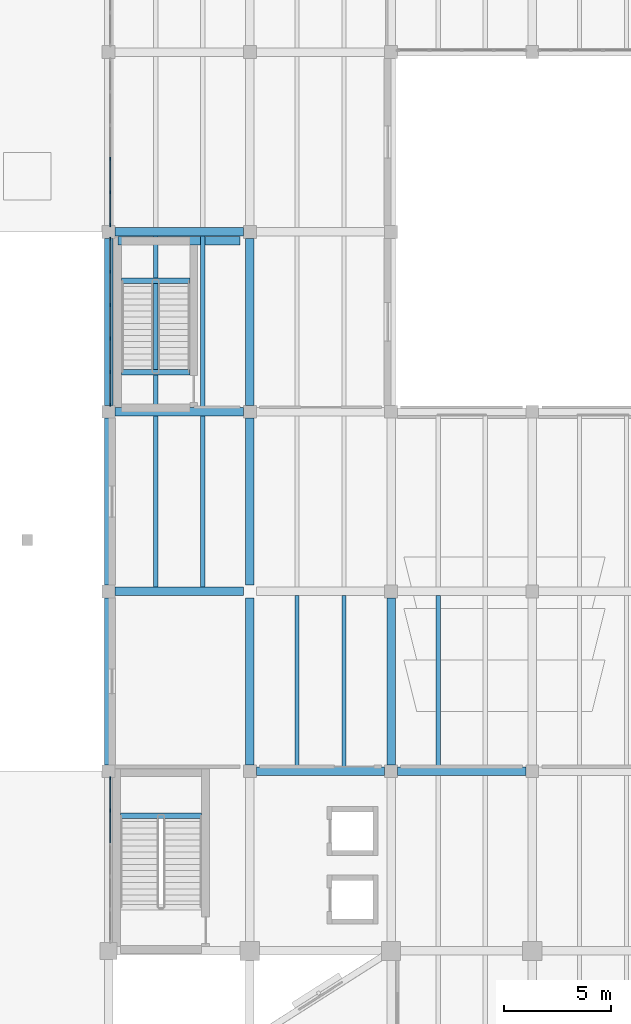
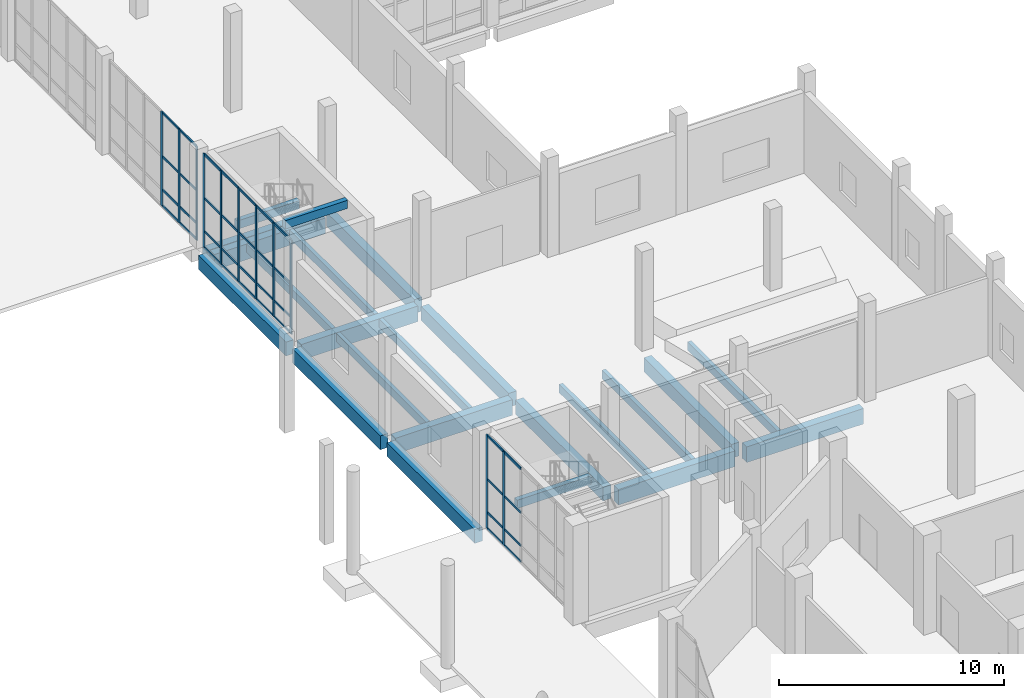
# One storey, part 21 of 64: 47 members, 23 beams, 3 elements without a shape of their own.
"""IFC4 building model written with IfcOpenShell, lengths in metres."""

from ifc_helpers import new_model, si_unit, direction, frame, origin, origin_2d, place, context, subcontext, project, spatial, rectangle, extrude, material, material_profile, profile_set, type_object, element, aggregate, save


model = new_model("IFC4")

# Units and contexts
model_context = context("Model", 3, precision=1e-05, world=origin(), true_north=direction((0.0, 1.0)))
body_context = subcontext(model_context, "Body", "Model", "MODEL_VIEW")
ifc_project = project(units=[si_unit("LENGTHUNIT", "METRE"), si_unit("AREAUNIT", "SQUARE_METRE"), si_unit("VOLUMEUNIT", "CUBIC_METRE"), si_unit("PLANEANGLEUNIT", "RADIAN"), si_unit("MASSUNIT", "GRAM", prefix="KILO")], contexts=[model_context])

# Site, building, storey
site_placement = place(None, origin())
site = spatial("IfcSite", under=ifc_project, at=site_placement, CompositionType="ELEMENT")
building_placement = place(site_placement, origin())
building = spatial("IfcBuilding", under=site, at=building_placement, Name="Qaldarim Faculty of Natural and Applied Sciences", CompositionType="ELEMENT")
storey_placement = place(building_placement, origin())
storey = spatial("IfcBuildingStorey", under=building, at=storey_placement, Name="L00", CompositionType="ELEMENT", Elevation=0.0)

# Beams
ifc_material_1 = material(Name="Concrete C50/60", Category="concrete")
ifc_material_profile_1 = material_profile(ifc_material_1, rectangle(XDim=0.39990234375, YDim=0.75, at=origin_2d()), Name="RC-B400x750")
ifc_profile_set_1 = profile_set([ifc_material_profile_1], Name="Concrete C50/60")
beam_type_1 = type_object("IfcBeamType", Name="LabGirder-RC400x750", PredefinedType="BEAM", material=ifc_profile_set_1)
for number, where, z_axis, x_axis, name in (
    (1, (151.800048828125, 67.5, -0.735107421875), (0.0, 1.0, 0.0), (-1.0, 0.0, 0.0), "Beam RC-B400x750 B01 X24/Y09-Y10"),
    (2, (151.800048828125, 75.89990234375, -0.735107421875), (0.0, 1.0, 0.0), (-1.0, 0.0, 0.0), "Beam RC-B400x750 B01 X24/Y10-Y11"),
    (3, (151.800048828125, 84.300048828125, -0.735107421875), (0.0, 1.0, 0.0), (-1.0, 0.0, 0.0), "Beam RC-B400x750 B01 X24/Y11-Y12"),
    (4, (158.39990234375, 67.5, -0.735107421875), (0.0, 1.0, 0.0), (-1.0, 0.0, 0.0), "Beam RC-B400x750 B01 X25/Y09-Y10"),
    (5, (158.39990234375, 75.89990234375, -0.735107421875), (0.0, 1.0, 0.0), (-1.0, 0.0, 0.0), "Beam RC-B400x750 B01 X25/Y10-Y11"),
    (6, (158.39990234375, 84.300048828125, -0.735107421875), (0.0, 1.0, 0.0), (-1.0, 0.0, 0.0), "Beam RC-B400x750 B01 X25/Y11-Y12"),
    (7, (165.0, 67.5, -0.735107421875), (0.0, 1.0, 0.0), (-1.0, 0.0, 0.0), "Beam RC-B400x750 B01 X26/Y09-Y10"),
):
    element("IfcBeam", number, at=place(storey_placement, frame(where, z_axis=z_axis, x_axis=x_axis)), inside=storey, type_object=beam_type_1, Name=name, PredefinedType="BEAM", context=body_context, shape_type="SweptSolid", body=[
        extrude(rectangle(XDim=0.39990234375, YDim=0.75, at=origin_2d()), origin(), (0.0, 0.0, 1.0), 7.800048828125),
    ])
ifc_material_2 = material(Name="Concrete C40/50", Category="concrete")
ifc_material_profile_2 = material_profile(ifc_material_2, rectangle(XDim=0.199951171875, YDim=0.449951171875, at=origin_2d()), Name="RC-J200x450")
ifc_profile_set_2 = profile_set([ifc_material_profile_2], Name="Concrete C40/50")
beam_type_2 = type_object("IfcBeamType", Name="LabJoist-RC200x450", PredefinedType="JOIST", material=ifc_profile_set_2)
for number, where, z_axis, x_axis, name in (
    (8, (154.0, 75.800048828125, -0.5849609375), (0.0, 1.0, 0.0), (-1.0, 0.0, 0.0), "Laboratory joist B01 bay X24Y10-1"),
    (9, (156.199951171875, 75.800048828125, -0.5849609375), (0.0, 1.0, 0.0), (-1.0, 0.0, 0.0), "Laboratory joist B01 bay X24Y10-2"),
    (10, (154.0, 84.199951171875, -0.5849609375), (0.0, 1.0, 0.0), (-1.0, 0.0, 0.0), "Laboratory joist B01 bay X24Y11-1"),
    (11, (156.199951171875, 84.199951171875, -0.5849609375), (0.0, 1.0, 0.0), (-1.0, 0.0, 0.0), "Laboratory joist B01 bay X24Y11-2"),
    (12, (160.60009765625, 67.39990234375, -0.5849609375), (0.0, 1.0, 0.0), (-1.0, 0.0, 0.0), "Laboratory joist B01 bay X25Y09-1"),
    (13, (162.800048828125, 67.39990234375, -0.5849609375), (0.0, 1.0, 0.0), (-1.0, 0.0, 0.0), "Laboratory joist B01 bay X25Y09-2"),
    (14, (167.199951171875, 67.39990234375, -0.5849609375), (0.0, 1.0, 0.0), (-1.0, 0.0, 0.0), "Laboratory joist B01 bay X26Y09-1"),
):
    element("IfcBeam", number, at=place(storey_placement, frame(where, z_axis=z_axis, x_axis=x_axis)), inside=storey, type_object=beam_type_2, Name=name, PredefinedType="JOIST", context=body_context, shape_type="SweptSolid", body=[
        extrude(rectangle(XDim=0.199951171875, YDim=0.449951171875, at=origin_2d()), origin(), (0.0, 0.0, 1.0), 8.0),
    ])
ifc_material_profile_3 = material_profile(ifc_material_2, rectangle(XDim=0.25, YDim=0.449951171875, at=origin_2d()), Name="RC-LN250x450")
ifc_profile_set_3 = profile_set([ifc_material_profile_3], Name="Concrete C40/50")
beam_type_3 = type_object("IfcBeamType", Name="LandingSupportBeam-RC250x450", PredefinedType="BEAM", material=ifc_profile_set_3)
beam_1_placement = place(storey_placement, frame((152.35009765625, 65.125, 2.264892578125), z_axis=(1.0, 0.0, 0.0), x_axis=(0.0, 1.0, 0.0)))
element("IfcBeam", 15, at=beam_1_placement, inside=storey, type_object=beam_type_3, Name="Stair landing support beam ST-C1 L00", PredefinedType="BEAM", context=body_context, shape_type="SweptSolid", body=[
    extrude(rectangle(XDim=0.25, YDim=0.449951171875, at=origin_2d()), origin(), (0.0, 0.0, 1.0), 3.7998046875),
])
for number, where, z_axis, x_axis, name in (
    (16, (152.39990234375, 90.125, 2.264892578125), (1.0, 0.0, 0.0), (0.0, 1.0, 0.0), "Stair landing support beam ST-C2 L00"),
    (17, (152.39990234375, 85.85009765625, 4.875), (1.0, 0.0, 0.0), (0.0, 1.0, 0.0), "Stair arrival support beam ST-C2 L00"),
):
    element("IfcBeam", number, at=place(storey_placement, frame(where, z_axis=z_axis, x_axis=x_axis)), inside=storey, type_object=beam_type_3, Name=name, PredefinedType="BEAM", context=body_context, shape_type="SweptSolid", body=[
        extrude(rectangle(XDim=0.25, YDim=0.449951171875, at=origin_2d()), origin(), (0.0, 0.0, 1.0), 3.2001953125),
    ])

# Curtain wall, members
ifc_material_3 = material(Name="Anodised aluminium AW-6063", Category="aluminium")
curtain_wall_type = type_object("IfcCurtainWallType", Name="CurtainWallSystem-M1600", PredefinedType="USERDEFINED", material=ifc_material_3)
curtain_wall_1_placement = place(storey_placement, origin())
curtain_wall_1 = element("IfcCurtainWall", 18, at=curtain_wall_1_placement, inside=storey, type_object=curtain_wall_type, Name="Curtain wall CW-L00-W-X24Y08", ObjectType="UNITISED FACADE", PredefinedType="USERDEFINED")
ifc_material_profile_4 = material_profile(ifc_material_3, rectangle(XDim=0.06005859375, YDim=0.14990234375, at=origin_2d()), Name="ALU-M60x150")
ifc_profile_set_4 = profile_set([ifc_material_profile_4], Name="Anodised aluminium AW-6063")
member_type_1 = type_object("IfcMemberType", Name="Mullion-ALU60x150", PredefinedType="MULLION", material=ifc_profile_set_4)
member_1_placement = place(storey_placement, frame((151.8798828125, 66.875, 0.0), z_axis=(0.0, 0.0, 1.0), x_axis=(1.0, 0.0, 0.0)))
member_1 = element("IfcMember", 19, at=member_1_placement, type_object=member_type_1, Name="Mullion 1 of CW-L00-W-X24Y08", PredefinedType="MULLION", context=body_context, shape_type="SweptSolid", body=[
    extrude(rectangle(XDim=0.06005859375, YDim=0.14990234375, at=origin_2d()), origin(), (0.0, 0.0, 1.0), 5.10009765625),
])
member_2_placement = place(storey_placement, frame((151.8798828125, 65.363037109375, 0.0), z_axis=(0.0, 0.0, 1.0), x_axis=(1.0, 0.0, 0.0)))
member_2 = element("IfcMember", 20, at=member_2_placement, type_object=member_type_1, Name="Mullion 2 of CW-L00-W-X24Y08", PredefinedType="MULLION", context=body_context, shape_type="SweptSolid", body=[
    extrude(rectangle(XDim=0.06005859375, YDim=0.14990234375, at=origin_2d()), origin(), (0.0, 0.0, 1.0), 5.10009765625),
])

curtain_wall_2_placement = place(storey_placement, origin())
curtain_wall_2 = element("IfcCurtainWall", 21, at=curtain_wall_2_placement, inside=storey, type_object=curtain_wall_type, Name="Curtain wall CW-L00-W-X24Y11", ObjectType="UNITISED FACADE", PredefinedType="USERDEFINED")
member_3_placement = place(storey_placement, frame((151.8798828125, 92.074951171875, 0.0), z_axis=(0.0, 0.0, 1.0), x_axis=(1.0, 0.0, 0.0)))
member_3 = element("IfcMember", 22, at=member_3_placement, type_object=member_type_1, Name="Mullion 1 of CW-L00-W-X24Y11", PredefinedType="MULLION", context=body_context, shape_type="SweptSolid", body=[
    extrude(rectangle(XDim=0.06005859375, YDim=0.14990234375, at=origin_2d()), origin(), (0.0, 0.0, 1.0), 5.10009765625),
])
member_4_placement = place(storey_placement, frame((151.8798828125, 90.54296875, 0.0), z_axis=(0.0, 0.0, 1.0), x_axis=(1.0, 0.0, 0.0)))
member_4 = element("IfcMember", 23, at=member_4_placement, type_object=member_type_1, Name="Mullion 2 of CW-L00-W-X24Y11", PredefinedType="MULLION", context=body_context, shape_type="SweptSolid", body=[
    extrude(rectangle(XDim=0.06005859375, YDim=0.14990234375, at=origin_2d()), origin(), (0.0, 0.0, 1.0), 5.10009765625),
])
member_5_placement = place(storey_placement, frame((151.8798828125, 88.98095703125, 0.0), z_axis=(0.0, 0.0, 1.0), x_axis=(1.0, 0.0, 0.0)))
member_5 = element("IfcMember", 24, at=member_5_placement, type_object=member_type_1, Name="Mullion 3 of CW-L00-W-X24Y11", PredefinedType="MULLION", context=body_context, shape_type="SweptSolid", body=[
    extrude(rectangle(XDim=0.06005859375, YDim=0.14990234375, at=origin_2d()), origin(), (0.0, 0.0, 1.0), 5.10009765625),
])
member_6_placement = place(storey_placement, frame((151.8798828125, 87.4189453125, 0.0), z_axis=(0.0, 0.0, 1.0), x_axis=(1.0, 0.0, 0.0)))
member_6 = element("IfcMember", 25, at=member_6_placement, type_object=member_type_1, Name="Mullion 4 of CW-L00-W-X24Y11", PredefinedType="MULLION", context=body_context, shape_type="SweptSolid", body=[
    extrude(rectangle(XDim=0.06005859375, YDim=0.14990234375, at=origin_2d()), origin(), (0.0, 0.0, 1.0), 5.10009765625),
])
member_7_placement = place(storey_placement, frame((151.8798828125, 85.85693359375, 0.0), z_axis=(0.0, 0.0, 1.0), x_axis=(1.0, 0.0, 0.0)))
member_7 = element("IfcMember", 26, at=member_7_placement, type_object=member_type_1, Name="Mullion 5 of CW-L00-W-X24Y11", PredefinedType="MULLION", context=body_context, shape_type="SweptSolid", body=[
    extrude(rectangle(XDim=0.06005859375, YDim=0.14990234375, at=origin_2d()), origin(), (0.0, 0.0, 1.0), 5.10009765625),
])
member_8_placement = place(storey_placement, frame((151.8798828125, 84.324951171875, 0.0), z_axis=(0.0, 0.0, 1.0), x_axis=(1.0, 0.0, 0.0)))
member_8 = element("IfcMember", 27, at=member_8_placement, type_object=member_type_1, Name="Mullion 6 of CW-L00-W-X24Y11", PredefinedType="MULLION", context=body_context, shape_type="SweptSolid", body=[
    extrude(rectangle(XDim=0.06005859375, YDim=0.14990234375, at=origin_2d()), origin(), (0.0, 0.0, 1.0), 5.10009765625),
])

curtain_wall_3_placement = place(storey_placement, origin())
curtain_wall_3 = element("IfcCurtainWall", 28, at=curtain_wall_3_placement, inside=storey, type_object=curtain_wall_type, Name="Curtain wall CW-L00-W-X24Y12", ObjectType="UNITISED FACADE", PredefinedType="USERDEFINED")
member_9_placement = place(storey_placement, frame((151.8798828125, 95.819091796875, 0.0), z_axis=(0.0, 0.0, 1.0), x_axis=(1.0, 0.0, 0.0)))
member_9 = element("IfcMember", 29, at=member_9_placement, type_object=member_type_1, Name="Mullion 4 of CW-L00-W-X24Y12", PredefinedType="MULLION", context=body_context, shape_type="SweptSolid", body=[
    extrude(rectangle(XDim=0.06005859375, YDim=0.14990234375, at=origin_2d()), origin(), (0.0, 0.0, 1.0), 5.10009765625),
])
member_10_placement = place(storey_placement, frame((151.8798828125, 94.257080078125, 0.0), z_axis=(0.0, 0.0, 1.0), x_axis=(1.0, 0.0, 0.0)))
member_10 = element("IfcMember", 30, at=member_10_placement, type_object=member_type_1, Name="Mullion 5 of CW-L00-W-X24Y12", PredefinedType="MULLION", context=body_context, shape_type="SweptSolid", body=[
    extrude(rectangle(XDim=0.06005859375, YDim=0.14990234375, at=origin_2d()), origin(), (0.0, 0.0, 1.0), 5.10009765625),
])
member_11_placement = place(storey_placement, frame((151.8798828125, 92.72509765625, 0.0), z_axis=(0.0, 0.0, 1.0), x_axis=(1.0, 0.0, 0.0)))
member_11 = element("IfcMember", 31, at=member_11_placement, type_object=member_type_1, Name="Mullion 6 of CW-L00-W-X24Y12", PredefinedType="MULLION", context=body_context, shape_type="SweptSolid", body=[
    extrude(rectangle(XDim=0.06005859375, YDim=0.14990234375, at=origin_2d()), origin(), (0.0, 0.0, 1.0), 5.10009765625),
])

# Beams
ifc_material_profile_5 = material_profile(ifc_material_1, rectangle(XDim=0.39990234375, YDim=0.85009765625, at=origin_2d()), Name="RC-B400x850")
ifc_profile_set_5 = profile_set([ifc_material_profile_5], Name="Concrete C50/60")
beam_type_4 = type_object("IfcBeamType", Name="PodiumGirder-RC400x850", PredefinedType="BEAM", material=ifc_profile_set_5)
for number, where, z_axis, x_axis, name in (
    (32, (158.699951171875, 67.199951171875, -0.784912109375), (1.0, 0.0, 0.0), (0.0, 1.0, 0.0), "Beam RC-B400x850 B01 X25-X26/Y09"),
    (33, (165.300048828125, 67.199951171875, -0.784912109375), (1.0, 0.0, 0.0), (0.0, 1.0, 0.0), "Beam RC-B400x850 B01 X26-X27/Y09"),
    (34, (152.10009765625, 75.60009765625, -0.784912109375), (1.0, 0.0, 0.0), (0.0, 1.0, 0.0), "Beam RC-B400x850 B01 X24-X25/Y10"),
    (35, (152.10009765625, 84.0, -0.784912109375), (1.0, 0.0, 0.0), (0.0, 1.0, 0.0), "Beam RC-B400x850 B01 X24-X25/Y11"),
    (36, (152.10009765625, 92.39990234375, -0.784912109375), (1.0, 0.0, 0.0), (0.0, 1.0, 0.0), "Beam RC-B400x850 B01 X24-X25/Y12"),
):
    element("IfcBeam", number, at=place(storey_placement, frame(where, z_axis=z_axis, x_axis=x_axis)), inside=storey, type_object=beam_type_4, Name=name, PredefinedType="BEAM", context=body_context, shape_type="SweptSolid", body=[
        extrude(rectangle(XDim=0.39990234375, YDim=0.85009765625, at=origin_2d()), origin(), (0.0, 0.0, 1.0), 6.0),
    ])
beam_2_placement = place(storey_placement, frame((152.25, 91.97998046875, -0.784912109375), z_axis=(1.0, 0.0, 0.0), x_axis=(0.0, 1.0, 0.0)))
element("IfcBeam", 37, at=beam_2_placement, inside=storey, type_object=beam_type_4, Name="Stair shaft foundation transfer beam STC2-N", PredefinedType="BEAM", context=body_context, shape_type="SweptSolid", body=[
    extrude(rectangle(XDim=0.39990234375, YDim=0.85009765625, at=origin_2d()), origin(), (0.0, 0.0, 1.0), 5.699951171875),
])

# Member
ifc_material_profile_6 = material_profile(ifc_material_3, rectangle(XDim=0.06005859375, YDim=0.1201171875, at=origin_2d()), Name="ALU-T60x120")
ifc_profile_set_6 = profile_set([ifc_material_profile_6], Name="Anodised aluminium AW-6063")
member_type_2 = type_object("IfcMemberType", Name="Transom-ALU60x120", PredefinedType="USERDEFINED", material=ifc_profile_set_6)
member_12_placement = place(storey_placement, frame((151.8798828125, 66.844970703125, 0.030029296875), z_axis=(0.0, -1.0, 0.0), x_axis=(1.0, 0.0, 0.0)))
member_12 = element("IfcMember", 38, at=member_12_placement, type_object=member_type_2, Name="Transom 1-1 of CW-L00-W-X24Y08", ObjectType="TRANSOM", PredefinedType="USERDEFINED", context=body_context, shape_type="SweptSolid", body=[
    extrude(rectangle(XDim=0.06005859375, YDim=0.1201171875, at=origin_2d()), origin(), (0.0, 0.0, 1.0), 1.451904296875),
])

member_13_placement = place(storey_placement, frame((151.8798828125, 66.844970703125, 0.89990234375), z_axis=(0.0, -1.0, 0.0), x_axis=(1.0, 0.0, 0.0)))
member_13 = element("IfcMember", 39, at=member_13_placement, type_object=member_type_2, Name="Transom 1-2 of CW-L00-W-X24Y08", ObjectType="TRANSOM", PredefinedType="USERDEFINED", context=body_context, shape_type="SweptSolid", body=[
    extrude(rectangle(XDim=0.06005859375, YDim=0.1201171875, at=origin_2d()), origin(), (0.0, 0.0, 1.0), 1.451904296875),
])

member_14_placement = place(storey_placement, frame((151.8798828125, 66.844970703125, 2.699951171875), z_axis=(0.0, -1.0, 0.0), x_axis=(1.0, 0.0, 0.0)))
member_14 = element("IfcMember", 40, at=member_14_placement, type_object=member_type_2, Name="Transom 1-3 of CW-L00-W-X24Y08", ObjectType="TRANSOM", PredefinedType="USERDEFINED", context=body_context, shape_type="SweptSolid", body=[
    extrude(rectangle(XDim=0.06005859375, YDim=0.1201171875, at=origin_2d()), origin(), (0.0, 0.0, 1.0), 1.451904296875),
])

member_15_placement = place(storey_placement, frame((151.8798828125, 66.844970703125, 5.070068359375), z_axis=(0.0, -1.0, 0.0), x_axis=(1.0, 0.0, 0.0)))
member_15 = element("IfcMember", 41, at=member_15_placement, type_object=member_type_2, Name="Transom 1-4 of CW-L00-W-X24Y08", ObjectType="TRANSOM", PredefinedType="USERDEFINED", context=body_context, shape_type="SweptSolid", body=[
    extrude(rectangle(XDim=0.06005859375, YDim=0.1201171875, at=origin_2d()), origin(), (0.0, 0.0, 1.0), 1.451904296875),
])

member_16_placement = place(storey_placement, frame((151.8798828125, 65.3330078125, 0.030029296875), z_axis=(0.0, -1.0, 0.0), x_axis=(1.0, 0.0, 0.0)))
member_16 = element("IfcMember", 42, at=member_16_placement, type_object=member_type_2, Name="Transom 2-1 of CW-L00-W-X24Y08", ObjectType="TRANSOM", PredefinedType="USERDEFINED", context=body_context, shape_type="SweptSolid", body=[
    extrude(rectangle(XDim=0.06005859375, YDim=0.1201171875, at=origin_2d()), origin(), (0.0, 0.0, 1.0), 1.48193359375),
])

member_17_placement = place(storey_placement, frame((151.8798828125, 65.3330078125, 0.89990234375), z_axis=(0.0, -1.0, 0.0), x_axis=(1.0, 0.0, 0.0)))
member_17 = element("IfcMember", 43, at=member_17_placement, type_object=member_type_2, Name="Transom 2-2 of CW-L00-W-X24Y08", ObjectType="TRANSOM", PredefinedType="USERDEFINED", context=body_context, shape_type="SweptSolid", body=[
    extrude(rectangle(XDim=0.06005859375, YDim=0.1201171875, at=origin_2d()), origin(), (0.0, 0.0, 1.0), 1.48193359375),
])

member_18_placement = place(storey_placement, frame((151.8798828125, 65.3330078125, 2.699951171875), z_axis=(0.0, -1.0, 0.0), x_axis=(1.0, 0.0, 0.0)))
member_18 = element("IfcMember", 44, at=member_18_placement, type_object=member_type_2, Name="Transom 2-3 of CW-L00-W-X24Y08", ObjectType="TRANSOM", PredefinedType="USERDEFINED", context=body_context, shape_type="SweptSolid", body=[
    extrude(rectangle(XDim=0.06005859375, YDim=0.1201171875, at=origin_2d()), origin(), (0.0, 0.0, 1.0), 1.48193359375),
])

member_19_placement = place(storey_placement, frame((151.8798828125, 65.3330078125, 5.070068359375), z_axis=(0.0, -1.0, 0.0), x_axis=(1.0, 0.0, 0.0)))
member_19 = element("IfcMember", 45, at=member_19_placement, type_object=member_type_2, Name="Transom 2-4 of CW-L00-W-X24Y08", ObjectType="TRANSOM", PredefinedType="USERDEFINED", context=body_context, shape_type="SweptSolid", body=[
    extrude(rectangle(XDim=0.06005859375, YDim=0.1201171875, at=origin_2d()), origin(), (0.0, 0.0, 1.0), 1.48193359375),
])

aggregate(curtain_wall_1, [member_1, member_2, member_12, member_13, member_14, member_15, member_16, member_17, member_18, member_19])

member_20_placement = place(storey_placement, frame((151.8798828125, 92.044921875, 0.030029296875), z_axis=(0.0, -1.0, 0.0), x_axis=(1.0, 0.0, 0.0)))
member_20 = element("IfcMember", 46, at=member_20_placement, type_object=member_type_2, Name="Transom 1-1 of CW-L00-W-X24Y11", ObjectType="TRANSOM", PredefinedType="USERDEFINED", context=body_context, shape_type="SweptSolid", body=[
    extrude(rectangle(XDim=0.06005859375, YDim=0.1201171875, at=origin_2d()), origin(), (0.0, 0.0, 1.0), 1.471923828125),
])

member_21_placement = place(storey_placement, frame((151.8798828125, 92.044921875, 0.89990234375), z_axis=(0.0, -1.0, 0.0), x_axis=(1.0, 0.0, 0.0)))
member_21 = element("IfcMember", 47, at=member_21_placement, type_object=member_type_2, Name="Transom 1-2 of CW-L00-W-X24Y11", ObjectType="TRANSOM", PredefinedType="USERDEFINED", context=body_context, shape_type="SweptSolid", body=[
    extrude(rectangle(XDim=0.06005859375, YDim=0.1201171875, at=origin_2d()), origin(), (0.0, 0.0, 1.0), 1.471923828125),
])

member_22_placement = place(storey_placement, frame((151.8798828125, 92.044921875, 2.699951171875), z_axis=(0.0, -1.0, 0.0), x_axis=(1.0, 0.0, 0.0)))
member_22 = element("IfcMember", 48, at=member_22_placement, type_object=member_type_2, Name="Transom 1-3 of CW-L00-W-X24Y11", ObjectType="TRANSOM", PredefinedType="USERDEFINED", context=body_context, shape_type="SweptSolid", body=[
    extrude(rectangle(XDim=0.06005859375, YDim=0.1201171875, at=origin_2d()), origin(), (0.0, 0.0, 1.0), 1.471923828125),
])

member_23_placement = place(storey_placement, frame((151.8798828125, 92.044921875, 5.070068359375), z_axis=(0.0, -1.0, 0.0), x_axis=(1.0, 0.0, 0.0)))
member_23 = element("IfcMember", 49, at=member_23_placement, type_object=member_type_2, Name="Transom 1-4 of CW-L00-W-X24Y11", ObjectType="TRANSOM", PredefinedType="USERDEFINED", context=body_context, shape_type="SweptSolid", body=[
    extrude(rectangle(XDim=0.06005859375, YDim=0.1201171875, at=origin_2d()), origin(), (0.0, 0.0, 1.0), 1.471923828125),
])

member_24_placement = place(storey_placement, frame((151.8798828125, 90.512939453125, 0.030029296875), z_axis=(0.0, -1.0, 0.0), x_axis=(1.0, 0.0, 0.0)))
member_24 = element("IfcMember", 50, at=member_24_placement, type_object=member_type_2, Name="Transom 2-1 of CW-L00-W-X24Y11", ObjectType="TRANSOM", PredefinedType="USERDEFINED", context=body_context, shape_type="SweptSolid", body=[
    extrude(rectangle(XDim=0.06005859375, YDim=0.1201171875, at=origin_2d()), origin(), (0.0, 0.0, 1.0), 1.501953125),
])

member_25_placement = place(storey_placement, frame((151.8798828125, 90.512939453125, 0.89990234375), z_axis=(0.0, -1.0, 0.0), x_axis=(1.0, 0.0, 0.0)))
member_25 = element("IfcMember", 51, at=member_25_placement, type_object=member_type_2, Name="Transom 2-2 of CW-L00-W-X24Y11", ObjectType="TRANSOM", PredefinedType="USERDEFINED", context=body_context, shape_type="SweptSolid", body=[
    extrude(rectangle(XDim=0.06005859375, YDim=0.1201171875, at=origin_2d()), origin(), (0.0, 0.0, 1.0), 1.501953125),
])

member_26_placement = place(storey_placement, frame((151.8798828125, 90.512939453125, 2.699951171875), z_axis=(0.0, -1.0, 0.0), x_axis=(1.0, 0.0, 0.0)))
member_26 = element("IfcMember", 52, at=member_26_placement, type_object=member_type_2, Name="Transom 2-3 of CW-L00-W-X24Y11", ObjectType="TRANSOM", PredefinedType="USERDEFINED", context=body_context, shape_type="SweptSolid", body=[
    extrude(rectangle(XDim=0.06005859375, YDim=0.1201171875, at=origin_2d()), origin(), (0.0, 0.0, 1.0), 1.501953125),
])

member_27_placement = place(storey_placement, frame((151.8798828125, 90.512939453125, 5.070068359375), z_axis=(0.0, -1.0, 0.0), x_axis=(1.0, 0.0, 0.0)))
member_27 = element("IfcMember", 53, at=member_27_placement, type_object=member_type_2, Name="Transom 2-4 of CW-L00-W-X24Y11", ObjectType="TRANSOM", PredefinedType="USERDEFINED", context=body_context, shape_type="SweptSolid", body=[
    extrude(rectangle(XDim=0.06005859375, YDim=0.1201171875, at=origin_2d()), origin(), (0.0, 0.0, 1.0), 1.501953125),
])

member_28_placement = place(storey_placement, frame((151.8798828125, 88.950927734375, 0.030029296875), z_axis=(0.0, -1.0, 0.0), x_axis=(1.0, 0.0, 0.0)))
member_28 = element("IfcMember", 54, at=member_28_placement, type_object=member_type_2, Name="Transom 3-1 of CW-L00-W-X24Y11", ObjectType="TRANSOM", PredefinedType="USERDEFINED", context=body_context, shape_type="SweptSolid", body=[
    extrude(rectangle(XDim=0.06005859375, YDim=0.1201171875, at=origin_2d()), origin(), (0.0, 0.0, 1.0), 1.501953125),
])

member_29_placement = place(storey_placement, frame((151.8798828125, 88.950927734375, 0.89990234375), z_axis=(0.0, -1.0, 0.0), x_axis=(1.0, 0.0, 0.0)))
member_29 = element("IfcMember", 55, at=member_29_placement, type_object=member_type_2, Name="Transom 3-2 of CW-L00-W-X24Y11", ObjectType="TRANSOM", PredefinedType="USERDEFINED", context=body_context, shape_type="SweptSolid", body=[
    extrude(rectangle(XDim=0.06005859375, YDim=0.1201171875, at=origin_2d()), origin(), (0.0, 0.0, 1.0), 1.501953125),
])

member_30_placement = place(storey_placement, frame((151.8798828125, 88.950927734375, 2.699951171875), z_axis=(0.0, -1.0, 0.0), x_axis=(1.0, 0.0, 0.0)))
member_30 = element("IfcMember", 56, at=member_30_placement, type_object=member_type_2, Name="Transom 3-3 of CW-L00-W-X24Y11", ObjectType="TRANSOM", PredefinedType="USERDEFINED", context=body_context, shape_type="SweptSolid", body=[
    extrude(rectangle(XDim=0.06005859375, YDim=0.1201171875, at=origin_2d()), origin(), (0.0, 0.0, 1.0), 1.501953125),
])

member_31_placement = place(storey_placement, frame((151.8798828125, 88.950927734375, 5.070068359375), z_axis=(0.0, -1.0, 0.0), x_axis=(1.0, 0.0, 0.0)))
member_31 = element("IfcMember", 57, at=member_31_placement, type_object=member_type_2, Name="Transom 3-4 of CW-L00-W-X24Y11", ObjectType="TRANSOM", PredefinedType="USERDEFINED", context=body_context, shape_type="SweptSolid", body=[
    extrude(rectangle(XDim=0.06005859375, YDim=0.1201171875, at=origin_2d()), origin(), (0.0, 0.0, 1.0), 1.501953125),
])

member_32_placement = place(storey_placement, frame((151.8798828125, 87.388916015625, 0.030029296875), z_axis=(0.0, -1.0, 0.0), x_axis=(1.0, 0.0, 0.0)))
member_32 = element("IfcMember", 58, at=member_32_placement, type_object=member_type_2, Name="Transom 4-1 of CW-L00-W-X24Y11", ObjectType="TRANSOM", PredefinedType="USERDEFINED", context=body_context, shape_type="SweptSolid", body=[
    extrude(rectangle(XDim=0.06005859375, YDim=0.1201171875, at=origin_2d()), origin(), (0.0, 0.0, 1.0), 1.501953125),
])

member_33_placement = place(storey_placement, frame((151.8798828125, 87.388916015625, 0.89990234375), z_axis=(0.0, -1.0, 0.0), x_axis=(1.0, 0.0, 0.0)))
member_33 = element("IfcMember", 59, at=member_33_placement, type_object=member_type_2, Name="Transom 4-2 of CW-L00-W-X24Y11", ObjectType="TRANSOM", PredefinedType="USERDEFINED", context=body_context, shape_type="SweptSolid", body=[
    extrude(rectangle(XDim=0.06005859375, YDim=0.1201171875, at=origin_2d()), origin(), (0.0, 0.0, 1.0), 1.501953125),
])

member_34_placement = place(storey_placement, frame((151.8798828125, 87.388916015625, 2.699951171875), z_axis=(0.0, -1.0, 0.0), x_axis=(1.0, 0.0, 0.0)))
member_34 = element("IfcMember", 60, at=member_34_placement, type_object=member_type_2, Name="Transom 4-3 of CW-L00-W-X24Y11", ObjectType="TRANSOM", PredefinedType="USERDEFINED", context=body_context, shape_type="SweptSolid", body=[
    extrude(rectangle(XDim=0.06005859375, YDim=0.1201171875, at=origin_2d()), origin(), (0.0, 0.0, 1.0), 1.501953125),
])

member_35_placement = place(storey_placement, frame((151.8798828125, 87.388916015625, 5.070068359375), z_axis=(0.0, -1.0, 0.0), x_axis=(1.0, 0.0, 0.0)))
member_35 = element("IfcMember", 61, at=member_35_placement, type_object=member_type_2, Name="Transom 4-4 of CW-L00-W-X24Y11", ObjectType="TRANSOM", PredefinedType="USERDEFINED", context=body_context, shape_type="SweptSolid", body=[
    extrude(rectangle(XDim=0.06005859375, YDim=0.1201171875, at=origin_2d()), origin(), (0.0, 0.0, 1.0), 1.501953125),
])

member_36_placement = place(storey_placement, frame((151.8798828125, 85.826904296875, 0.030029296875), z_axis=(0.0, -1.0, 0.0), x_axis=(1.0, 0.0, 0.0)))
member_36 = element("IfcMember", 62, at=member_36_placement, type_object=member_type_2, Name="Transom 5-1 of CW-L00-W-X24Y11", ObjectType="TRANSOM", PredefinedType="USERDEFINED", context=body_context, shape_type="SweptSolid", body=[
    extrude(rectangle(XDim=0.06005859375, YDim=0.1201171875, at=origin_2d()), origin(), (0.0, 0.0, 1.0), 1.471923828125),
])

member_37_placement = place(storey_placement, frame((151.8798828125, 85.826904296875, 0.89990234375), z_axis=(0.0, -1.0, 0.0), x_axis=(1.0, 0.0, 0.0)))
member_37 = element("IfcMember", 63, at=member_37_placement, type_object=member_type_2, Name="Transom 5-2 of CW-L00-W-X24Y11", ObjectType="TRANSOM", PredefinedType="USERDEFINED", context=body_context, shape_type="SweptSolid", body=[
    extrude(rectangle(XDim=0.06005859375, YDim=0.1201171875, at=origin_2d()), origin(), (0.0, 0.0, 1.0), 1.471923828125),
])

member_38_placement = place(storey_placement, frame((151.8798828125, 85.826904296875, 2.699951171875), z_axis=(0.0, -1.0, 0.0), x_axis=(1.0, 0.0, 0.0)))
member_38 = element("IfcMember", 64, at=member_38_placement, type_object=member_type_2, Name="Transom 5-3 of CW-L00-W-X24Y11", ObjectType="TRANSOM", PredefinedType="USERDEFINED", context=body_context, shape_type="SweptSolid", body=[
    extrude(rectangle(XDim=0.06005859375, YDim=0.1201171875, at=origin_2d()), origin(), (0.0, 0.0, 1.0), 1.471923828125),
])

member_39_placement = place(storey_placement, frame((151.8798828125, 85.826904296875, 5.070068359375), z_axis=(0.0, -1.0, 0.0), x_axis=(1.0, 0.0, 0.0)))
member_39 = element("IfcMember", 65, at=member_39_placement, type_object=member_type_2, Name="Transom 5-4 of CW-L00-W-X24Y11", ObjectType="TRANSOM", PredefinedType="USERDEFINED", context=body_context, shape_type="SweptSolid", body=[
    extrude(rectangle(XDim=0.06005859375, YDim=0.1201171875, at=origin_2d()), origin(), (0.0, 0.0, 1.0), 1.471923828125),
])

aggregate(curtain_wall_2, [member_3, member_4, member_5, member_6, member_7, member_8, member_20, member_21, member_22, member_23, member_24, member_25, member_26, member_27, member_28, member_29, member_30, member_31, member_32, member_33, member_34, member_35, member_36, member_37, member_38, member_39])

member_40_placement = place(storey_placement, frame((151.8798828125, 95.7890625, 0.030029296875), z_axis=(0.0, -1.0, 0.0), x_axis=(1.0, 0.0, 0.0)))
member_40 = element("IfcMember", 66, at=member_40_placement, type_object=member_type_2, Name="Transom 4-1 of CW-L00-W-X24Y12", ObjectType="TRANSOM", PredefinedType="USERDEFINED", context=body_context, shape_type="SweptSolid", body=[
    extrude(rectangle(XDim=0.06005859375, YDim=0.1201171875, at=origin_2d()), origin(), (0.0, 0.0, 1.0), 1.501953125),
])

member_41_placement = place(storey_placement, frame((151.8798828125, 95.7890625, 0.89990234375), z_axis=(0.0, -1.0, 0.0), x_axis=(1.0, 0.0, 0.0)))
member_41 = element("IfcMember", 67, at=member_41_placement, type_object=member_type_2, Name="Transom 4-2 of CW-L00-W-X24Y12", ObjectType="TRANSOM", PredefinedType="USERDEFINED", context=body_context, shape_type="SweptSolid", body=[
    extrude(rectangle(XDim=0.06005859375, YDim=0.1201171875, at=origin_2d()), origin(), (0.0, 0.0, 1.0), 1.501953125),
])

member_42_placement = place(storey_placement, frame((151.8798828125, 95.7890625, 2.699951171875), z_axis=(0.0, -1.0, 0.0), x_axis=(1.0, 0.0, 0.0)))
member_42 = element("IfcMember", 68, at=member_42_placement, type_object=member_type_2, Name="Transom 4-3 of CW-L00-W-X24Y12", ObjectType="TRANSOM", PredefinedType="USERDEFINED", context=body_context, shape_type="SweptSolid", body=[
    extrude(rectangle(XDim=0.06005859375, YDim=0.1201171875, at=origin_2d()), origin(), (0.0, 0.0, 1.0), 1.501953125),
])

member_43_placement = place(storey_placement, frame((151.8798828125, 95.7890625, 5.070068359375), z_axis=(0.0, -1.0, 0.0), x_axis=(1.0, 0.0, 0.0)))
member_43 = element("IfcMember", 69, at=member_43_placement, type_object=member_type_2, Name="Transom 4-4 of CW-L00-W-X24Y12", ObjectType="TRANSOM", PredefinedType="USERDEFINED", context=body_context, shape_type="SweptSolid", body=[
    extrude(rectangle(XDim=0.06005859375, YDim=0.1201171875, at=origin_2d()), origin(), (0.0, 0.0, 1.0), 1.501953125),
])

member_44_placement = place(storey_placement, frame((151.8798828125, 94.22705078125, 0.030029296875), z_axis=(0.0, -1.0, 0.0), x_axis=(1.0, 0.0, 0.0)))
member_44 = element("IfcMember", 70, at=member_44_placement, type_object=member_type_2, Name="Transom 5-1 of CW-L00-W-X24Y12", ObjectType="TRANSOM", PredefinedType="USERDEFINED", context=body_context, shape_type="SweptSolid", body=[
    extrude(rectangle(XDim=0.06005859375, YDim=0.1201171875, at=origin_2d()), origin(), (0.0, 0.0, 1.0), 1.47216796875),
])

member_45_placement = place(storey_placement, frame((151.8798828125, 94.22705078125, 0.89990234375), z_axis=(0.0, -1.0, 0.0), x_axis=(1.0, 0.0, 0.0)))
member_45 = element("IfcMember", 71, at=member_45_placement, type_object=member_type_2, Name="Transom 5-2 of CW-L00-W-X24Y12", ObjectType="TRANSOM", PredefinedType="USERDEFINED", context=body_context, shape_type="SweptSolid", body=[
    extrude(rectangle(XDim=0.06005859375, YDim=0.1201171875, at=origin_2d()), origin(), (0.0, 0.0, 1.0), 1.47216796875),
])

member_46_placement = place(storey_placement, frame((151.8798828125, 94.22705078125, 2.699951171875), z_axis=(0.0, -1.0, 0.0), x_axis=(1.0, 0.0, 0.0)))
member_46 = element("IfcMember", 72, at=member_46_placement, type_object=member_type_2, Name="Transom 5-3 of CW-L00-W-X24Y12", ObjectType="TRANSOM", PredefinedType="USERDEFINED", context=body_context, shape_type="SweptSolid", body=[
    extrude(rectangle(XDim=0.06005859375, YDim=0.1201171875, at=origin_2d()), origin(), (0.0, 0.0, 1.0), 1.47216796875),
])

member_47_placement = place(storey_placement, frame((151.8798828125, 94.22705078125, 5.070068359375), z_axis=(0.0, -1.0, 0.0), x_axis=(1.0, 0.0, 0.0)))
member_47 = element("IfcMember", 73, at=member_47_placement, type_object=member_type_2, Name="Transom 5-4 of CW-L00-W-X24Y12", ObjectType="TRANSOM", PredefinedType="USERDEFINED", context=body_context, shape_type="SweptSolid", body=[
    extrude(rectangle(XDim=0.06005859375, YDim=0.1201171875, at=origin_2d()), origin(), (0.0, 0.0, 1.0), 1.47216796875),
])

aggregate(curtain_wall_3, [member_9, member_10, member_11, member_40, member_41, member_42, member_43, member_44, member_45, member_46, member_47])

save(model, "model.ifc")
